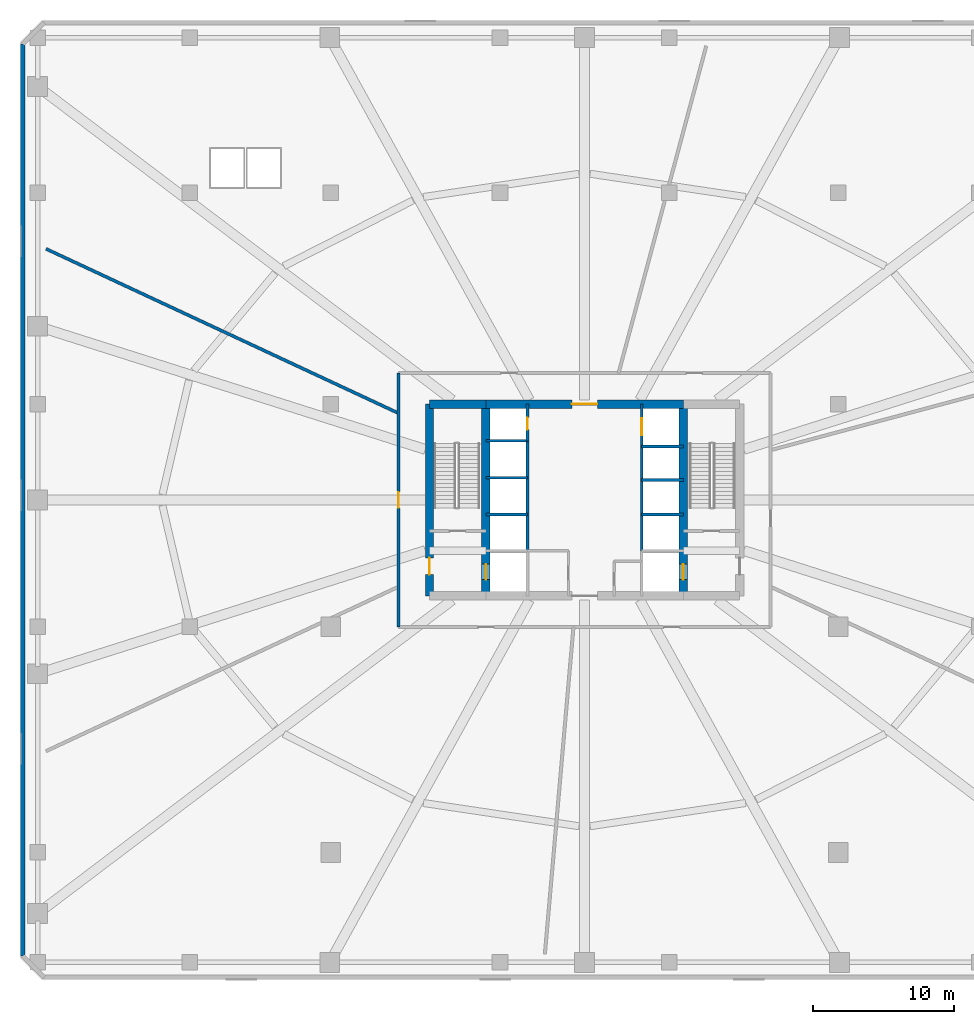
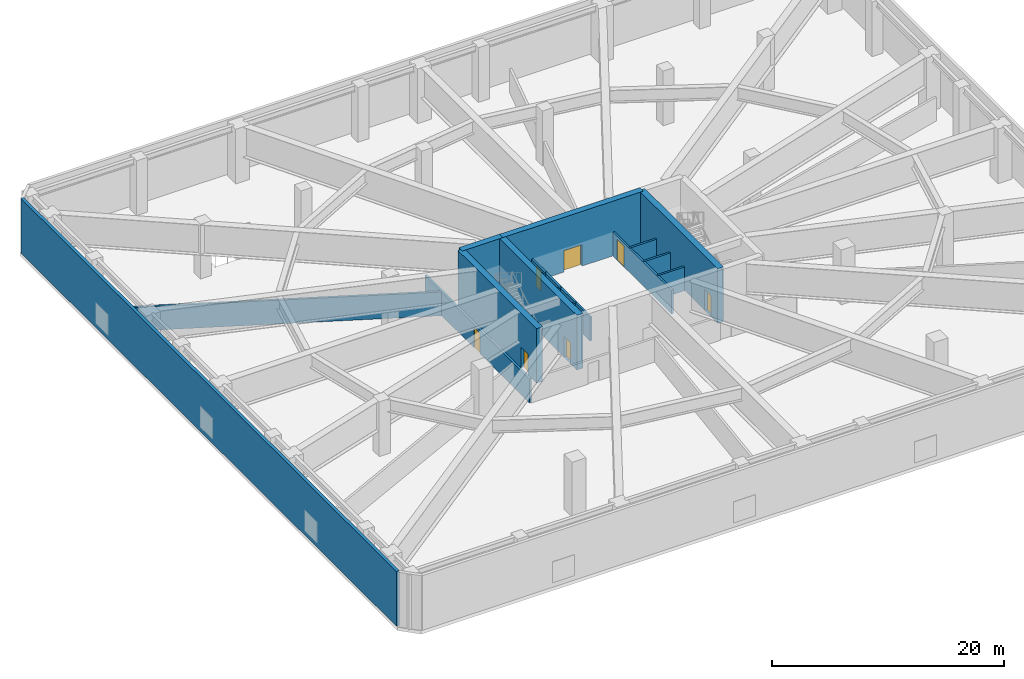
# One storey, part 5 of 9: 17 walls, 7 doors, 7 openings.
"""IFC4 building model written with IfcOpenShell, lengths in metres."""

import ifcopenshell
import ifcopenshell.guid

model = None  # the IFC model being written
_history = None  # IfcOwnerHistory: only IFC2X3 demands one
_inside = {}  # id of a spatial element -> (the spatial element, [elements in it])
_under = {}  # id of a project, library or spatial element -> (it, [spatial elements below it])
_declared = {}  # id of a project -> (the project, [libraries it declares])
_typed = {}  # id of a type object -> (the type object, [elements of that type])
_made_of = {}  # id of a material, layer set ... -> (it, [elements and type objects made of it])


def new_model(schema):
    """Start an empty IFC model of exactly this schema.

    Asked for "IFC4X3", IfcOpenShell would pick the latest addendum, in which some entities
    have other attributes; the version numbers below select the first issue.
    IFC2X3 requires an IfcOwnerHistory on every rooted entity: one is made here for all.
    """
    global model, _history
    if schema == "IFC4X3":
        model = ifcopenshell.file(schema_version=(4, 3, 0, 0))
    else:
        model = ifcopenshell.file(schema=schema)
    _inside.clear()
    _under.clear()
    _declared.clear()
    _typed.clear()
    _made_of.clear()
    _history = None
    if model.schema == "IFC2X3":
        org = make("IfcOrganization", Name="unknown")
        user = make(
            "IfcPersonAndOrganization",
            ThePerson=make("IfcPerson", FamilyName="unknown"),
            TheOrganization=org,
        )
        app = make(
            "IfcApplication",
            ApplicationDeveloper=org,
            Version="unknown",
            ApplicationFullName="unknown",
            ApplicationIdentifier="unknown",
        )
        _history = make(
            "IfcOwnerHistory",
            OwningUser=user,
            OwningApplication=app,
            ChangeAction="ADDED",
            CreationDate=0,
        )
    return model


def make(cls, **values):
    """One entity of the class cls with the attributes given. An attribute that is None is left unset."""
    return model.create_entity(
        cls, **{name: value for name, value in values.items() if value is not None}
    )


def rooted(cls, **values):
    """An entity with a GlobalId (a new one), such as an element, a storey or a relation."""
    return make(cls, GlobalId=ifcopenshell.guid.new(), OwnerHistory=_history, **values)


def si_unit(unit_type, name, prefix=None):
    """IfcSIUnit, for example si_unit("LENGTHUNIT", "METRE", prefix="MILLI")."""
    return make("IfcSIUnit", UnitType=unit_type, Prefix=prefix, Name=name)


def assignment(units):
    """IfcUnitAssignment: the units of a project."""
    return None if units is None else make("IfcUnitAssignment", Units=units)


def point(xyz):
    """IfcCartesianPoint."""
    return None if xyz is None else make("IfcCartesianPoint", Coordinates=xyz)


def direction(xyz):
    """IfcDirection."""
    return None if xyz is None else make("IfcDirection", DirectionRatios=xyz)


def frame(location, z_axis=None, x_axis=None):
    """IfcAxis2Placement3D, a coordinate frame: its origin and axes. An axis left out is left unset."""
    return make(
        "IfcAxis2Placement3D",
        Location=point(location),
        Axis=direction(z_axis),
        RefDirection=direction(x_axis),
    )


def frame_2d(location, x_axis=None):
    """IfcAxis2Placement2D, a coordinate frame in the plane: its origin and x axis."""
    return make(
        "IfcAxis2Placement2D", Location=point(location), RefDirection=direction(x_axis)
    )


def origin():
    """The frame at (0, 0, 0) with its axes left unset."""
    return frame((0.0, 0.0, 0.0))


def place(relative_to, where):
    """IfcLocalPlacement: puts the frame where relative to a parent placement (None: the world)."""
    return make(
        "IfcLocalPlacement", PlacementRelTo=relative_to, RelativePlacement=where
    )


def context(
    kind, dimensions, precision=None, world=None, true_north=None, identifier=None
):
    """IfcGeometricRepresentationContext, for example the 3D "Model" context."""
    return make(
        "IfcGeometricRepresentationContext",
        ContextIdentifier=identifier,
        ContextType=kind,
        CoordinateSpaceDimension=dimensions,
        Precision=precision,
        WorldCoordinateSystem=world,
        TrueNorth=true_north,
    )


def subcontext(parent, identifier, kind, view, scale=None):
    """IfcGeometricRepresentationSubContext, for example "Body" below "Model"."""
    return make(
        "IfcGeometricRepresentationSubContext",
        ContextIdentifier=identifier,
        ContextType=kind,
        ParentContext=parent,
        TargetScale=scale,
        TargetView=view,
    )


def project(units=None, contexts=None):
    """IfcProject with its units and contexts."""
    return rooted(
        "IfcProject",
        Name="project",
        RepresentationContexts=contexts,
        UnitsInContext=assignment(units),
    )


def spatial(cls, under=None, at=None, **own):
    """A site, building, storey or space (cls), placed at a placement, below another one or the project."""
    s = rooted(cls, ObjectPlacement=at, **own)
    if under is not None:
        _under.setdefault(under.id(), (under, []))[1].append(s)
    return s


def profile(cls, at=None, kind="AREA", **sizes):
    """A parametric profile (cls). Its sizes go by their IFC names, for example OverallWidth=200.0."""
    return make(cls, ProfileType=kind, Position=at, **sizes)


def rectangle(**sizes):
    """IfcRectangleProfileDef."""
    return profile("IfcRectangleProfileDef", **sizes)


def extrude(swept, where, along, depth):
    """IfcExtrudedAreaSolid: the profile swept, set in the frame where, extruded along a direction by depth."""
    return make(
        "IfcExtrudedAreaSolid",
        SweptArea=swept,
        Position=where,
        ExtrudedDirection=direction(along),
        Depth=depth,
    )


def shape(context_of_items, identifier, shape_type, items):
    """IfcShapeRepresentation: the items that make up one representation, for example the "Body"."""
    return make(
        "IfcShapeRepresentation",
        ContextOfItems=context_of_items,
        RepresentationIdentifier=identifier,
        RepresentationType=shape_type,
        Items=items,
    )


def material(Name=None, Category=None):
    """IfcMaterial."""
    return make("IfcMaterial", Name=Name, Category=Category)


def layer(
    of_material, thickness, ventilated=None, Name=None, Category=None, Priority=None
):
    """IfcMaterialLayer: one layer of a wall or slab, of a material (None: an air gap)."""
    return make(
        "IfcMaterialLayer",
        Material=of_material,
        LayerThickness=thickness,
        IsVentilated=ventilated,
        Name=Name,
        Category=Category,
        Priority=Priority,
    )


def layer_set(layers, Name=None):
    """IfcMaterialLayerSet."""
    return make("IfcMaterialLayerSet", MaterialLayers=layers, LayerSetName=Name)


def made_of(thing, what):
    """Note that an element or type object is made of a material, layer set ...; save() writes the relation."""
    if what is not None:
        _made_of.setdefault(what.id(), (what, []))[1].append(thing)
    return thing


def type_object(cls, material=None, **own):
    """A type object (cls), such as IfcWallType, which elements share."""
    return made_of(rooted(cls, **own), material)


def element(
    cls,
    number,
    at=None,
    inside=None,
    cuts=None,
    type_object=None,
    material=None,
    context=None,
    identifier="Body",
    shape_type=None,
    held_by="IfcProductDefinitionShape",
    body=None,
    shapes=None,
    **own,
):
    """One element of the class cls, such as IfcWall. Its Tag is "e" and its number.

    at: its placement. inside: the storey or other place that contains it. cuts: it is an
    opening in that element (IfcRelVoidsElement). A single representation is given by context,
    identifier, shape_type and body (its items); several are given by shapes. held_by: the class
    of the entity that holds the representations. save() writes the other relations.
    """
    e = rooted(cls, Tag="e%d" % number, ObjectPlacement=at, **own)
    if body is not None:
        shapes = [shape(context, identifier, shape_type, body)]
    if shapes is not None:
        e.Representation = make(held_by, Representations=shapes)
    if inside is not None:
        _inside.setdefault(inside.id(), (inside, []))[1].append(e)
    if cuts is not None:
        rooted(
            "IfcRelVoidsElement", RelatingBuildingElement=cuts, RelatedOpeningElement=e
        )
    if type_object is not None:
        _typed.setdefault(type_object.id(), (type_object, []))[1].append(e)
    return made_of(e, material)


def fill(opening, filler):
    """IfcRelFillsElement: the door or window that sits in an opening."""
    return rooted(
        "IfcRelFillsElement",
        RelatingOpeningElement=opening,
        RelatedBuildingElement=filler,
    )


def aggregate(whole, parts):
    """IfcRelAggregates: a whole, such as a stair, and the parts it consists of."""
    return rooted("IfcRelAggregates", RelatingObject=whole, RelatedObjects=parts)


def save(model, path):
    """Write the relations noted so far, then the file.

    IfcRelAggregates (storeys below a building ...), IfcRelContainedInSpatialStructure (elements
    in a storey), IfcRelDefinesByType, IfcRelAssociatesMaterial and IfcRelDeclares: one each for
    every whole, place, type object, material and project.
    """
    for whole, parts in _under.values():
        aggregate(whole, parts)
    for where, things in _inside.values():
        rooted(
            "IfcRelContainedInSpatialStructure",
            RelatedElements=things,
            RelatingStructure=where,
        )
    for kind, things in _typed.values():
        rooted("IfcRelDefinesByType", RelatedObjects=things, RelatingType=kind)
    for what, things in _made_of.values():
        rooted("IfcRelAssociatesMaterial", RelatedObjects=things, RelatingMaterial=what)
    for by, libraries in _declared.values():
        rooted("IfcRelDeclares", RelatingContext=by, RelatedDefinitions=libraries)
    model.write(path)


model = new_model("IFC4")

# Units and contexts
model_context = context("Model", 3, precision=1e-05, world=origin(), true_north=direction((0.0, 1.0)))
body_context = subcontext(model_context, "Body", "Model", "MODEL_VIEW")
ifc_project = project(units=[si_unit("LENGTHUNIT", "METRE"), si_unit("AREAUNIT", "SQUARE_METRE"), si_unit("VOLUMEUNIT", "CUBIC_METRE"), si_unit("PLANEANGLEUNIT", "RADIAN"), si_unit("MASSUNIT", "GRAM", prefix="KILO")], contexts=[model_context])

# Site, building, storey
site_placement = place(None, origin())
site = spatial("IfcSite", under=ifc_project, at=site_placement, CompositionType="ELEMENT")
building_placement = place(site_placement, origin())
building = spatial("IfcBuilding", under=site, at=building_placement, Name="Sarneth Arch Tower", CompositionType="ELEMENT")
storey_placement = place(building_placement, frame((0.0, 0.0, 22.199951171875)))
storey = spatial("IfcBuildingStorey", under=building, at=storey_placement, Name="L04", CompositionType="ELEMENT", Elevation=22.199951171875)

# Wall
ifc_material_1 = material(Name="Concrete C60/75", Category="concrete")
ifc_layer_1 = layer(ifc_material_1, 0.60009765625)
ifc_layer_set_1 = layer_set([ifc_layer_1], Name="Concrete C60/75")
wall_type_1 = type_object("IfcWallType", Name="WALL-CORE-600", PredefinedType="SHEAR", material=ifc_layer_set_1)
wall_1_placement = place(storey_placement, frame((37.0, 48.800048828125, 0.0), z_axis=(0.0, 0.0, 1.0), x_axis=(1.0, 0.0, 0.0)))
element("IfcWall", 1, at=wall_1_placement, inside=storey, type_object=wall_type_1, Name="L04 Core shear wall N-W", PredefinedType="SHEAR", context=body_context, shape_type="SweptSolid", body=[
    extrude(rectangle(XDim=4.0, YDim=0.60009765625, at=frame_2d((2.0, 0.0))), origin(), (0.0, 0.0, 1.0), 5.75),
])

# Wall, opening, door
wall_2_placement = place(storey_placement, frame((41.0, 48.800048828125, 0.0), z_axis=(0.0, 0.0, 1.0), x_axis=(1.0, 0.0, 0.0)))
wall_2 = element("IfcWall", 2, at=wall_2_placement, inside=storey, type_object=wall_type_1, Name="L04 Core shear wall N-M", PredefinedType="SHEAR", context=body_context, shape_type="SweptSolid", body=[
    extrude(rectangle(XDim=14.0, YDim=0.60009765625, at=frame_2d((7.0, 0.0))), origin(), (0.0, 0.0, 1.0), 5.75),
])
opening_1_placement = place(wall_2_placement, frame((6.10009765625, 0.0, 0.0)))
opening_1 = element("IfcOpeningElement", 3, at=opening_1_placement, cuts=wall_2, Name="Opening FD-01", PredefinedType="OPENING", context=body_context, shape_type="SweptSolid", body=[
    extrude(rectangle(XDim=1.800048828125, YDim=2.25, at=frame_2d((0.89990234375, 1.125))), frame((0.0, 0.31005859375, 0.0), z_axis=(0.0, -1.0, 0.0), x_axis=(1.0, 0.0, 0.0)), (0.0, 0.0, 1.0), 0.6201171875),
])
ifc_material_2 = material(Name="Galvanised Steel S275 fire door set", Category="steel")
door_type_1 = type_object("IfcDoorType", Name="DR-FD90-1800", OperationType="DOUBLE_DOOR_SINGLE_SWING", PredefinedType="DOOR", material=ifc_material_2)
door_1_placement = place(opening_1_placement, origin())
door_1 = element("IfcDoor", 4, at=door_1_placement, inside=storey, type_object=door_type_1, Name="L04 Central lift lobby north door", OperationType="DOUBLE_DOOR_SINGLE_SWING", OverallHeight=2.25, OverallWidth=1.800048828125, PredefinedType="DOOR", context=body_context, shape_type="SweptSolid", body=[
    extrude(rectangle(XDim=1.800048828125, YDim=2.25, at=frame_2d((0.89990234375, 1.125))), frame((0.0, 0.02490234375, 0.0), z_axis=(0.0, -1.0, 0.0), x_axis=(1.0, 0.0, 0.0)), (0.0, 0.0, 1.0), 0.050048828125),
])
fill(opening_1, door_1)

wall_3_placement = place(storey_placement, frame((37.0, 35.199951171875, 0.0), z_axis=(0.0, 0.0, 1.0), x_axis=(0.0, 1.0, 0.0)))
wall_3 = element("IfcWall", 5, at=wall_3_placement, inside=storey, type_object=wall_type_1, Name="L04 Core shear wall W", PredefinedType="SHEAR", context=body_context, shape_type="SweptSolid", body=[
    extrude(rectangle(XDim=13.60009765625, YDim=0.60009765625, at=frame_2d((6.800048828125, 0.0))), origin(), (0.0, 0.0, 1.0), 5.75),
])
opening_2_placement = place(wall_3_placement, frame((1.5, 0.0, 0.0)))
opening_2 = element("IfcOpeningElement", 6, at=opening_2_placement, cuts=wall_3, Name="Opening FD-02", PredefinedType="OPENING", context=body_context, shape_type="SweptSolid", body=[
    extrude(rectangle(XDim=1.199951171875, YDim=2.14990234375, at=frame_2d((0.60009765625, 1.074951171875))), frame((0.0, 0.31005859375, 0.0), z_axis=(0.0, -1.0, 0.0), x_axis=(1.0, 0.0, 0.0)), (0.0, 0.0, 1.0), 0.6201171875),
])
ifc_material_3 = material(Name="Galvanised Steel S275 fire door set", Category="steel")
door_type_2 = type_object("IfcDoorType", Name="DR-FD90-1200", OperationType="SINGLE_SWING_LEFT", PredefinedType="DOOR", material=ifc_material_3)
door_2_placement = place(opening_2_placement, origin())
door_2 = element("IfcDoor", 7, at=door_2_placement, inside=storey, type_object=door_type_2, Name="L04 Firefighting lobby 1 exit door", OperationType="SINGLE_SWING_LEFT", OverallHeight=2.14990234375, OverallWidth=1.199951171875, PredefinedType="DOOR", context=body_context, shape_type="SweptSolid", body=[
    extrude(rectangle(XDim=1.199951171875, YDim=2.14990234375, at=frame_2d((0.60009765625, 1.074951171875))), frame((0.0, 0.02490234375, 0.0), z_axis=(0.0, -1.0, 0.0), x_axis=(1.0, 0.0, 0.0)), (0.0, 0.0, 1.0), 0.050048828125),
])
fill(opening_2, door_2)

wall_4_placement = place(storey_placement, frame((41.0, 35.199951171875, 0.0), z_axis=(0.0, 0.0, 1.0), x_axis=(0.0, 1.0, 0.0)))
wall_4 = element("IfcWall", 8, at=wall_4_placement, inside=storey, type_object=wall_type_1, Name="L04 Core shear wall WEB-W", PredefinedType="SHEAR", context=body_context, shape_type="SweptSolid", body=[
    extrude(rectangle(XDim=13.60009765625, YDim=0.60009765625, at=frame_2d((6.800048828125, 0.0))), origin(), (0.0, 0.0, 1.0), 5.75),
])
opening_3_placement = place(wall_4_placement, frame((1.14990234375, 0.0, 0.0)))
opening_3 = element("IfcOpeningElement", 9, at=opening_3_placement, cuts=wall_4, Name="Opening LD-1", PredefinedType="OPENING", context=body_context, shape_type="SweptSolid", body=[
    extrude(rectangle(XDim=1.10009765625, YDim=2.199951171875, at=frame_2d((0.550048828125, 1.10009765625))), frame((0.0, 0.31005859375, 0.0), z_axis=(0.0, -1.0, 0.0), x_axis=(1.0, 0.0, 0.0)), (0.0, 0.0, 1.0), 0.6201171875),
])
ifc_material_4 = material(Name="Brushed Stainless Steel 304 lift landing door", Category="steel")
door_type_3 = type_object("IfcDoorType", Name="DR-LIFT-SLIDE-1100", OperationType="SLIDING_TO_LEFT", PredefinedType="DOOR", material=ifc_material_4)
door_3_placement = place(opening_3_placement, origin())
door_3 = element("IfcDoor", 10, at=door_3_placement, inside=storey, type_object=door_type_3, Name="L04 Firefighting lift landing door FL-1", OperationType="SLIDING_TO_LEFT", OverallHeight=2.199951171875, OverallWidth=1.10009765625, PredefinedType="DOOR", context=body_context, shape_type="SweptSolid", body=[
    extrude(rectangle(XDim=1.10009765625, YDim=2.199951171875, at=frame_2d((0.550048828125, 1.10009765625))), frame((0.0, 0.02490234375, 0.0), z_axis=(0.0, -1.0, 0.0), x_axis=(1.0, 0.0, 0.0)), (0.0, 0.0, 1.0), 0.050048828125),
])
fill(opening_3, door_3)

wall_5_placement = place(storey_placement, frame((55.0, 35.199951171875, 0.0), z_axis=(0.0, 0.0, 1.0), x_axis=(0.0, 1.0, 0.0)))
wall_5 = element("IfcWall", 11, at=wall_5_placement, inside=storey, type_object=wall_type_1, Name="L04 Core shear wall WEB-E", PredefinedType="SHEAR", context=body_context, shape_type="SweptSolid", body=[
    extrude(rectangle(XDim=13.60009765625, YDim=0.60009765625, at=frame_2d((6.800048828125, 0.0))), origin(), (0.0, 0.0, 1.0), 5.75),
])
opening_4_placement = place(wall_5_placement, frame((1.14990234375, 0.0, 0.0)))
opening_4 = element("IfcOpeningElement", 12, at=opening_4_placement, cuts=wall_5, Name="Opening LD-1", PredefinedType="OPENING", context=body_context, shape_type="SweptSolid", body=[
    extrude(rectangle(XDim=1.10009765625, YDim=2.199951171875, at=frame_2d((0.550048828125, 1.10009765625))), frame((0.0, 0.31005859375, 0.0), z_axis=(0.0, -1.0, 0.0), x_axis=(1.0, 0.0, 0.0)), (0.0, 0.0, 1.0), 0.6201171875),
])
door_4_placement = place(opening_4_placement, origin())
door_4 = element("IfcDoor", 13, at=door_4_placement, inside=storey, type_object=door_type_3, Name="L04 Firefighting lift landing door FL-2", OperationType="SLIDING_TO_RIGHT", OverallHeight=2.199951171875, OverallWidth=1.10009765625, PredefinedType="DOOR", context=body_context, shape_type="SweptSolid", body=[
    extrude(rectangle(XDim=1.10009765625, YDim=2.199951171875, at=frame_2d((0.550048828125, 1.10009765625))), frame((0.0, 0.02490234375, 0.0), z_axis=(0.0, -1.0, 0.0), x_axis=(1.0, 0.0, 0.0)), (0.0, 0.0, 1.0), 0.050048828125),
])
fill(opening_4, door_4)

# Walls
ifc_material_5 = material(Name="Extruded terracotta rainscreen on Concrete C40/50 backing", Category="masonry")
ifc_layer_2 = layer(ifc_material_5, 0.300048828125)
ifc_layer_set_2 = layer_set([ifc_layer_2], Name="Extruded terracotta rainscreen on Concrete C40/50 backing")
wall_type_2 = type_object("IfcWallType", Name="WALL-EXT-ACOUST-300", PredefinedType="SOLIDWALL", material=ifc_layer_set_2)
wall_6_placement = place(storey_placement, frame((8.14990234375, 74.35009765625, 0.0), z_axis=(0.0, 0.0, 1.0), x_axis=(0.0, -1.0, 0.0)))
element("IfcWall", 14, at=wall_6_placement, inside=storey, type_object=wall_type_2, Name="L04 Podium exterior wall 7", PredefinedType="SOLIDWALL", context=body_context, shape_type="SweptSolid", body=[
    extrude(rectangle(XDim=64.7001953125, YDim=0.300048828125, at=frame_2d((32.35009765625, 0.0))), origin(), (0.0, 0.0, 1.0), 5.75),
])
ifc_material_6 = material(Name="Aerated concrete blockwork C25/30", Category="masonry")
ifc_layer_3 = layer(ifc_material_6, 0.219970703125)
ifc_layer_set_3 = layer_set([ifc_layer_3], Name="Aerated concrete blockwork C25/30")
wall_type_3 = type_object("IfcWallType", Name="WALL-FIRE-220", PredefinedType="SOLIDWALL", material=ifc_layer_set_3)
wall_7_placement = place(storey_placement, frame((34.800048828125, 48.1552734375, 0.0), z_axis=(0.0, 0.0, 1.0), x_axis=(-0.906307462258, 0.422618958231, 0.0)))
element("IfcWall", 15, at=wall_7_placement, inside=storey, type_object=wall_type_3, Name="L04 Interior partition W-L04-TP-013", PredefinedType="SOLIDWALL", context=body_context, shape_type="SweptSolid", body=[
    extrude(rectangle(XDim=27.58447265625, YDim=0.219970703125, at=frame_2d((13.792236328125, 0.0))), origin(), (0.0, 0.0, 1.0), 2.5),
])

# Wall, opening, door
wall_8_placement = place(storey_placement, frame((34.800048828125, 33.0, 0.0), z_axis=(0.0, 0.0, 1.0), x_axis=(0.0, 1.0, 0.0)))
wall_8 = element("IfcWall", 16, at=wall_8_placement, inside=storey, type_object=wall_type_3, Name="L04 Interior partition W-L04-TP-005", PredefinedType="SOLIDWALL", context=body_context, shape_type="SweptSolid", body=[
    extrude(rectangle(XDim=18.0, YDim=0.219970703125, at=frame_2d((9.0, 0.0))), origin(), (0.0, 0.0, 1.0), 2.5),
])
opening_5_placement = place(wall_8_placement, frame((8.449951171875, 0.0, 0.0)))
opening_5 = element("IfcOpeningElement", 17, at=opening_5_placement, cuts=wall_8, Name="Opening FD-03", PredefinedType="OPENING", context=body_context, shape_type="SweptSolid", body=[
    extrude(rectangle(XDim=1.10009765625, YDim=2.14990234375, at=frame_2d((0.550048828125, 1.074951171875))), frame((0.0, 0.119873046875, 0.0), z_axis=(0.0, -1.0, 0.0), x_axis=(1.0, 0.0, 0.0)), (0.0, 0.0, 1.0), 0.239990234375),
])
ifc_material_7 = material(Name="Galvanised Steel S275 fire door set", Category="steel")
door_type_4 = type_object("IfcDoorType", Name="DR-FD90-1100", OperationType="SINGLE_SWING_LEFT", PredefinedType="DOOR", material=ifc_material_7)
door_5_placement = place(opening_5_placement, origin())
door_5 = element("IfcDoor", 18, at=door_5_placement, inside=storey, type_object=door_type_4, Name="L04 Interior door DR-L04-PSEC-3", OperationType="SINGLE_SWING_LEFT", OverallHeight=2.14990234375, OverallWidth=1.10009765625, PredefinedType="DOOR", context=body_context, shape_type="SweptSolid", body=[
    extrude(rectangle(XDim=1.10009765625, YDim=2.14990234375, at=frame_2d((0.550048828125, 1.074951171875))), frame((0.0, 0.02490234375, 0.0), z_axis=(0.0, -1.0, 0.0), x_axis=(1.0, 0.0, 0.0)), (0.0, 0.0, 1.0), 0.050048828125),
])
fill(opening_5, door_5)

# Wall
ifc_material_8 = material(Name="Aerated concrete blockwork C25/30", Category="masonry")
ifc_layer_4 = layer(ifc_material_8, 0.199951171875)
ifc_layer_set_4 = layer_set([ifc_layer_4], Name="Aerated concrete blockwork C25/30")
wall_type_4 = type_object("IfcWallType", Name="WALL-SHAFT-200", PredefinedType="SOLIDWALL", material=ifc_layer_set_4)
wall_9_placement = place(storey_placement, frame((41.0, 46.199951171875, 0.0), z_axis=(0.0, 0.0, 1.0), x_axis=(1.0, 0.0, 0.0)))
element("IfcWall", 19, at=wall_9_placement, inside=storey, type_object=wall_type_4, Name="L04 Interior partition W-L04-RISER-S", PredefinedType="SOLIDWALL", context=body_context, shape_type="SweptSolid", body=[
    extrude(rectangle(XDim=2.949951171875, YDim=0.199951171875, at=frame_2d((1.47509765625, 0.0))), origin(), (0.0, 0.0, 1.0), 2.5),
])

# Wall, opening, door
wall_10_placement = place(storey_placement, frame((43.949951171875, 46.199951171875, 0.0), z_axis=(0.0, 0.0, 1.0), x_axis=(0.0, 1.0, 0.0)))
wall_10 = element("IfcWall", 20, at=wall_10_placement, inside=storey, type_object=wall_type_4, Name="L04 Interior partition W-L04-RISER-E", PredefinedType="SOLIDWALL", context=body_context, shape_type="SweptSolid", body=[
    extrude(rectangle(XDim=2.60009765625, YDim=0.199951171875, at=frame_2d((1.300048828125, 0.0))), origin(), (0.0, 0.0, 1.0), 2.5),
])
opening_6_placement = place(wall_10_placement, frame((0.800048828125, 0.0, 0.0)))
opening_6 = element("IfcOpeningElement", 21, at=opening_6_placement, cuts=wall_10, Name="Opening FD-11", PredefinedType="OPENING", context=body_context, shape_type="SweptSolid", body=[
    extrude(rectangle(XDim=0.85009765625, YDim=2.14990234375, at=frame_2d((0.425048828125, 1.074951171875))), frame((0.0, 0.10986328125, 0.0), z_axis=(0.0, -1.0, 0.0), x_axis=(1.0, 0.0, 0.0)), (0.0, 0.0, 1.0), 0.219970703125),
])
ifc_material_9 = material(Name="Galvanised Steel S275 closet fire door", Category="steel")
door_type_5 = type_object("IfcDoorType", Name="DR-FD60-850", OperationType="SINGLE_SWING_LEFT", PredefinedType="DOOR", material=ifc_material_9)
door_6_placement = place(opening_6_placement, origin())
door_6 = element("IfcDoor", 22, at=door_6_placement, inside=storey, type_object=door_type_5, Name="L04 Lift landing door DR-L04-RISER", OperationType="SINGLE_SWING_LEFT", OverallHeight=2.14990234375, OverallWidth=0.85009765625, PredefinedType="DOOR", context=body_context, shape_type="SweptSolid", body=[
    extrude(rectangle(XDim=0.85009765625, YDim=2.14990234375, at=frame_2d((0.425048828125, 1.074951171875))), frame((0.0, 0.02490234375, 0.0), z_axis=(0.0, -1.0, 0.0), x_axis=(1.0, 0.0, 0.0)), (0.0, 0.0, 1.0), 0.050048828125),
])
fill(opening_6, door_6)

# Walls
wall_11_placement = place(storey_placement, frame((43.949951171875, 38.39990234375, 0.0), z_axis=(0.0, 0.0, 1.0), x_axis=(0.0, 1.0, 0.0)))
element("IfcWall", 23, at=wall_11_placement, inside=storey, type_object=wall_type_4, Name="L04 Interior partition W-L04-WESTBANK-FRONT", PredefinedType="SOLIDWALL", context=body_context, shape_type="SweptSolid", body=[
    extrude(rectangle(XDim=7.800048828125, YDim=0.199951171875, at=frame_2d((3.89990234375, 0.0))), origin(), (0.0, 0.0, 1.0), 2.5),
])
for number, where, z_axis, x_axis, name in (
    (24, (41.0, 40.97998046875, 0.0), (0.0, 0.0, 1.0), (1.0, 0.0, 0.0), "L04 Interior partition W-L04-WB-DIV-4098"),
    (25, (41.0, 43.580078125, 0.0), (0.0, 0.0, 1.0), (1.0, 0.0, 0.0), "L04 Interior partition W-L04-WB-DIV-4358"),
):
    element("IfcWall", number, at=place(storey_placement, frame(where, z_axis=z_axis, x_axis=x_axis)), inside=storey, type_object=wall_type_4, Name=name, PredefinedType="SOLIDWALL", context=body_context, shape_type="SweptSolid", body=[
        extrude(rectangle(XDim=2.949951171875, YDim=0.199951171875, at=frame_2d((1.47509765625, 0.0))), origin(), (0.0, 0.0, 1.0), 2.5),
    ])

# Wall, opening, door
wall_12_placement = place(storey_placement, frame((52.050048828125, 38.39990234375, 0.0), z_axis=(0.0, 0.0, 1.0), x_axis=(0.0, 1.0, 0.0)))
wall_12 = element("IfcWall", 26, at=wall_12_placement, inside=storey, type_object=wall_type_4, Name="L04 Interior partition W-L04-EASTBANK-FRONT", PredefinedType="SOLIDWALL", context=body_context, shape_type="SweptSolid", body=[
    extrude(rectangle(XDim=10.400146484375, YDim=0.199951171875, at=frame_2d((5.2001953125, 0.0))), origin(), (0.0, 0.0, 1.0), 2.5),
])
opening_7_placement = place(wall_12_placement, frame((8.199951171875, 0.0, 0.0)))
opening_7 = element("IfcOpeningElement", 27, at=opening_7_placement, cuts=wall_12, Name="Opening LD-2", PredefinedType="OPENING", context=body_context, shape_type="SweptSolid", body=[
    extrude(rectangle(XDim=1.199951171875, YDim=2.199951171875, at=frame_2d((0.60009765625, 1.10009765625))), frame((0.0, 0.10986328125, 0.0), z_axis=(0.0, -1.0, 0.0), x_axis=(1.0, 0.0, 0.0)), (0.0, 0.0, 1.0), 0.219970703125),
])
ifc_material_10 = material(Name="Brushed Stainless Steel 304 service lift door", Category="steel")
door_type_6 = type_object("IfcDoorType", Name="DR-LIFT-SLIDE-1200", OperationType="SLIDING_TO_RIGHT", PredefinedType="DOOR", material=ifc_material_10)
door_7_placement = place(opening_7_placement, origin())
door_7 = element("IfcDoor", 28, at=door_7_placement, inside=storey, type_object=door_type_6, Name="L04 Lift landing door DR-L04-LD-SL1", OperationType="SLIDING_TO_RIGHT", OverallHeight=2.199951171875, OverallWidth=1.199951171875, PredefinedType="DOOR", context=body_context, shape_type="SweptSolid", body=[
    extrude(rectangle(XDim=1.199951171875, YDim=2.199951171875, at=frame_2d((0.60009765625, 1.10009765625))), frame((0.0, 0.02490234375, 0.0), z_axis=(0.0, -1.0, 0.0), x_axis=(1.0, 0.0, 0.0)), (0.0, 0.0, 1.0), 0.050048828125),
])
fill(opening_7, door_7)

# Walls
for number, where, z_axis, x_axis, name in (
    (29, (52.050048828125, 40.97998046875, 0.0), (0.0, 0.0, 1.0), (1.0, 0.0, 0.0), "L04 Interior partition W-L04-EB-DIV-4098"),
    (30, (52.050048828125, 43.419921875, 0.0), (0.0, 0.0, 1.0), (1.0, 0.0, 0.0), "L04 Interior partition W-L04-EB-DIV-4342"),
    (31, (52.050048828125, 45.800048828125, 0.0), (0.0, 0.0, 1.0), (1.0, 0.0, 0.0), "L04 Interior partition W-L04-EB-DIV-4580"),
):
    element("IfcWall", number, at=place(storey_placement, frame(where, z_axis=z_axis, x_axis=x_axis)), inside=storey, type_object=wall_type_4, Name=name, PredefinedType="SOLIDWALL", context=body_context, shape_type="SweptSolid", body=[
        extrude(rectangle(XDim=2.949951171875, YDim=0.199951171875, at=frame_2d((1.47509765625, 0.0))), origin(), (0.0, 0.0, 1.0), 2.5),
    ])

save(model, "model.ifc")
